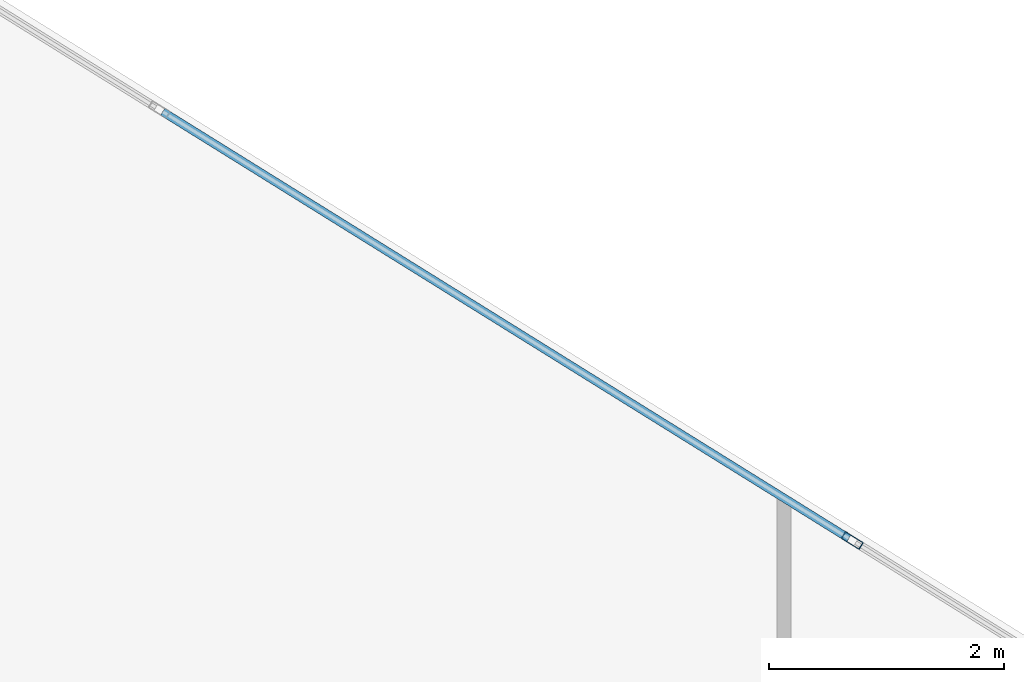
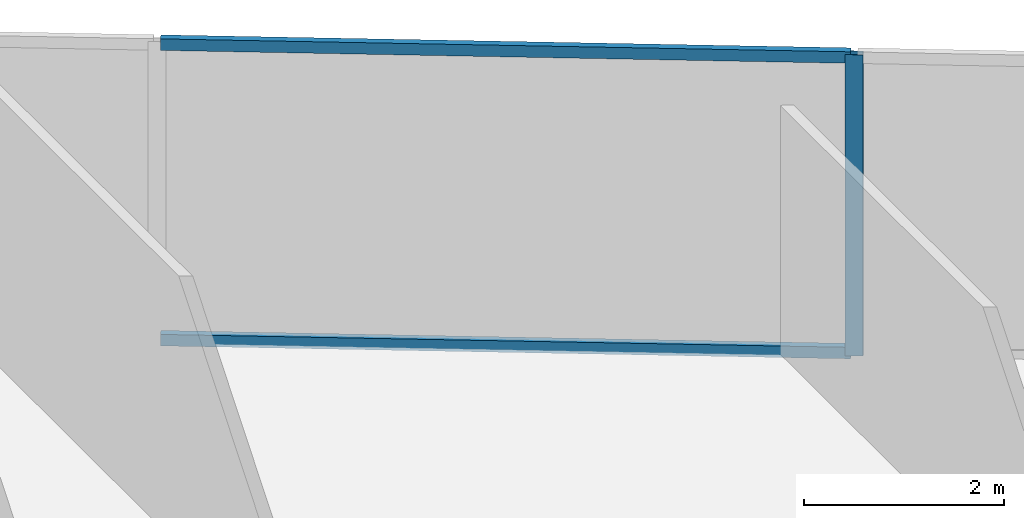
# One storey, part 19 of 25: 3 members, 1 element without a shape of its own.
"""IFC4 building model written with IfcOpenShell, lengths in metres."""

from ifc_helpers import new_model, si_unit, direction, frame, origin, origin_2d, place, context, subcontext, project, spatial, hollow_rectangle, extrude, source, transform, mapped, material, material_profile, profile_set, type_object, type_shapes, element, aggregate, save


model = new_model("IFC4")

# Units and contexts
model_context = context("Model", 3, precision=1e-05, world=origin(), true_north=direction((0.0, 1.0)))
body_context = subcontext(model_context, "Body", "Model", "MODEL_VIEW")
ifc_project = project(units=[si_unit("LENGTHUNIT", "METRE"), si_unit("AREAUNIT", "SQUARE_METRE"), si_unit("VOLUMEUNIT", "CUBIC_METRE"), si_unit("PLANEANGLEUNIT", "RADIAN"), si_unit("MASSUNIT", "GRAM", prefix="KILO")], contexts=[model_context])

# Site, building, storey
site_placement = place(None, origin())
site = spatial("IfcSite", under=ifc_project, at=site_placement, CompositionType="ELEMENT")
building_placement = place(site_placement, origin())
building = spatial("IfcBuilding", under=site, at=building_placement, Name="Krantzveldt Concourse Tower", CompositionType="ELEMENT")
storey_placement = place(building_placement, frame((0.0, 0.0, 177.800048828125)))
storey = spatial("IfcBuildingStorey", under=building, at=storey_placement, Name="L43", CompositionType="ELEMENT", Elevation=177.800048828125)

# Curtain wall, members
ifc_material = material(Name="Anodised aluminium 6063-T6", Category="aluminium")
curtain_wall_type = type_object("IfcCurtainWallType", Name="CW3", PredefinedType="USERDEFINED", material=ifc_material)
curtain_wall_placement = place(storey_placement, origin())
curtain_wall = element("IfcCurtainWall", 1, at=curtain_wall_placement, inside=storey, type_object=curtain_wall_type, Name="CW-L43-F10", ObjectType="UNITISED CURTAIN WALL", PredefinedType="USERDEFINED")
ifc_material_profile_1 = material_profile(ifc_material, hollow_rectangle(XDim=0.070068359375, YDim=0.179931640625, WallThickness=0.0048828125, at=origin_2d()), Name="Anodised aluminium 6063-T6", Category="aluminium")
ifc_profile_set_1 = profile_set([ifc_material_profile_1], Name="Anodised aluminium 6063-T6 - ALU-MULL 180x70x5")
member_type_1 = type_object("IfcMemberType", Name="CW-MUL-180", PredefinedType="MULLION", material=ifc_profile_set_1)
shared_shape_1 = source(origin(), body_context, "Body", "SweptSolid", [
    extrude(hollow_rectangle(XDim=0.070068359375, YDim=0.179931640625, WallThickness=0.0048828125, at=origin_2d()), origin(), (0.0, 0.0, 1.0), 3.669921875),
])
type_shapes(member_type_1, [shared_shape_1])
member_1_placement = place(storey_placement, frame((44.56201171875, 47.058837890625, 0.0), z_axis=(0.0, 0.0, 1.0), x_axis=(-0.528067901977, -0.84920214961, 0.0)))
member_1 = element("IfcMember", 2, at=member_1_placement, type_object=member_type_1, Name="CW-Z34 mullion 4", PredefinedType="MULLION", context=body_context, shape_type="MappedRepresentation", body=[
    mapped(shared_shape_1, transform((0.0, 0.0, 0.0), x_axis=(1.0, 0.0, 0.0), y_axis=(0.0, 1.0, 0.0), z_axis=(0.0, 0.0, 1.0), scale=1.0)),
])
ifc_material_profile_2 = material_profile(ifc_material, hollow_rectangle(XDim=0.070068359375, YDim=0.139892578125, WallThickness=0.0048828125, at=origin_2d()), Name="Anodised aluminium 6063-T6", Category="aluminium")
ifc_profile_set_2 = profile_set([ifc_material_profile_2], Name="Anodised aluminium 6063-T6 - ALU-TRAN 140x70x5")
member_type_2 = type_object("IfcMemberType", Name="CW-TRN-150", PredefinedType="USERDEFINED", material=ifc_profile_set_2)
shared_shape_2 = source(origin(), body_context, "Body", "SweptSolid", [
    extrude(hollow_rectangle(XDim=0.070068359375, YDim=0.139892578125, WallThickness=0.0048828125, at=origin_2d()), origin(), (0.0, 0.0, 1.0), 6.89013671875),
])
type_shapes(member_type_2, [shared_shape_2])
member_2_placement = place(storey_placement, frame((44.5322265625, 47.0771484375, 0.034912109375), z_axis=(-0.849202443437, 0.528067429464, 0.0), x_axis=(-0.528067429464, -0.849202443437, 0.0)))
member_2 = element("IfcMember", 3, at=member_2_placement, type_object=member_type_2, Name="CW-Z34 transom 4.1", ObjectType="TRANSOM", PredefinedType="USERDEFINED", context=body_context, shape_type="MappedRepresentation", body=[
    mapped(shared_shape_2, transform((0.0, 0.0, 0.0), x_axis=(1.0, 0.0, 0.0), y_axis=(0.0, 1.0, 0.0), z_axis=(0.0, 0.0, 1.0), scale=1.0)),
])
member_3_placement = place(storey_placement, frame((44.5322265625, 47.0771484375, 3.635009765625), z_axis=(-0.849202443437, 0.528067429464, 0.0), x_axis=(-0.528067429464, -0.849202443437, 0.0)))
member_3 = element("IfcMember", 4, at=member_3_placement, type_object=member_type_2, Name="CW-Z34 transom 4.2", ObjectType="TRANSOM", PredefinedType="USERDEFINED", context=body_context, shape_type="MappedRepresentation", body=[
    mapped(shared_shape_2, transform((0.0, 0.0, 0.0), x_axis=(1.0, 0.0, 0.0), y_axis=(0.0, 1.0, 0.0), z_axis=(0.0, 0.0, 1.0), scale=1.0)),
])
aggregate(curtain_wall, [member_1, member_2, member_3])

save(model, "model.ifc")
